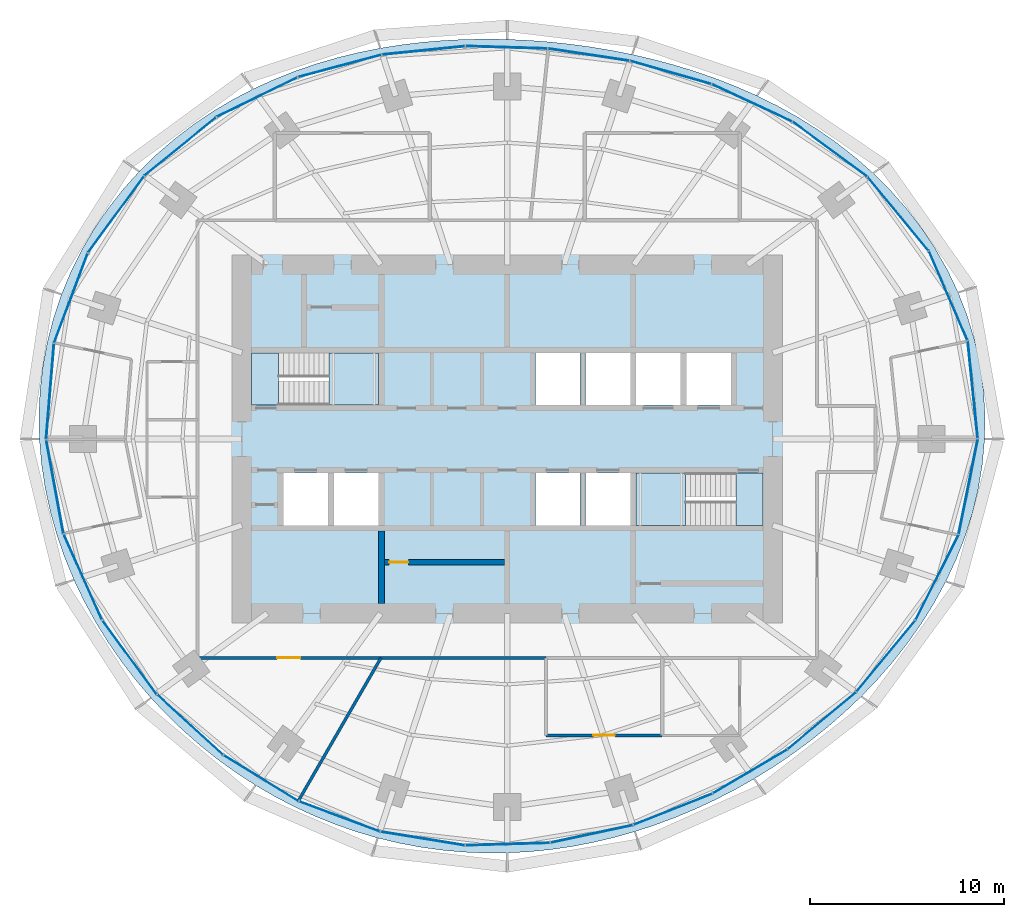
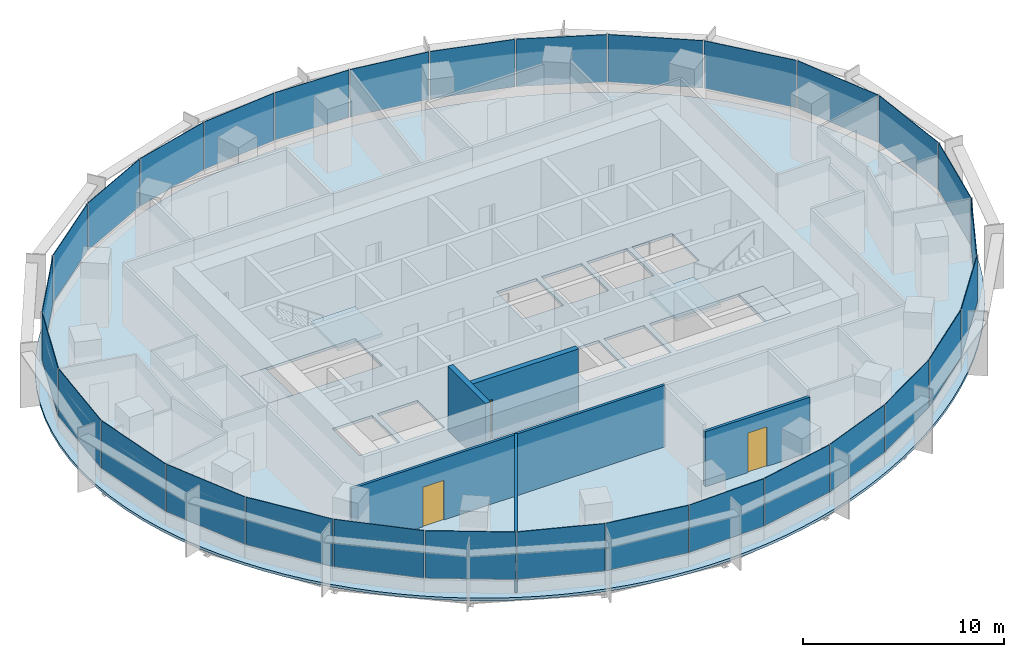
# One storey, part 9 of 14: 30 plates, 5 slabs, 5 walls, 3 doors, 3 openings, 8 elements without a shape of their own.
"""IFC4 building model written with IfcOpenShell, lengths in metres."""

from ifc_helpers import new_model, si_unit, direction, frame, frame_2d, origin, origin_2d, place, context, subcontext, project, spatial, polyline, rectangle, outline, extrude, material, layer, layer_set, type_object, element, fill, aggregate, save


model = new_model("IFC4")

# Units and contexts
model_context = context("Model", 3, precision=1e-05, world=origin(), true_north=direction((0.0, 1.0)))
body_context = subcontext(model_context, "Body", "Model", "MODEL_VIEW")
ifc_project = project(units=[si_unit("LENGTHUNIT", "METRE"), si_unit("AREAUNIT", "SQUARE_METRE"), si_unit("VOLUMEUNIT", "CUBIC_METRE"), si_unit("PLANEANGLEUNIT", "RADIAN"), si_unit("MASSUNIT", "GRAM", prefix="KILO")], contexts=[model_context])

# Site, building, storey
site_placement = place(None, origin())
site = spatial("IfcSite", under=ifc_project, at=site_placement, CompositionType="ELEMENT")
building_placement = place(site_placement, origin())
building = spatial("IfcBuilding", under=site, at=building_placement, Name="Marramba Exchange Tower", CompositionType="ELEMENT")
storey_placement = place(building_placement, frame((0.0, 0.0, 183.800048828125)))
storey = spatial("IfcBuildingStorey", under=building, at=storey_placement, Name="L44", CompositionType="ELEMENT", Elevation=183.800048828125)

# Slab
ifc_material_1 = material(Name="Concrete N40", Category="concrete")
ifc_layer_1 = layer(ifc_material_1, 0.159912109375)
ifc_layer_set_1 = layer_set([ifc_layer_1], Name="Composite floor slab 160")
slab_type_1 = type_object("IfcSlabType", Name="Composite floor slab 160", PredefinedType="FLOOR", material=ifc_layer_set_1)
slab_1_placement = place(storey_placement, frame((0.0, 0.0, -0.16015625)))
element("IfcSlab", 1, at=slab_1_placement, inside=storey, type_object=slab_type_1, Name="Floor slab L44", PredefinedType="FLOOR", context=body_context, shape_type="SweptSolid", body=[
    extrude(outline(polyline([(24.64404296875, 0.0), (24.661376953125, 1.29248046875), (24.580078125, 2.58349609375), (24.399658203125, 3.864501953125), (24.12109375, 5.127197265625), (23.7470703125, 6.363037109375), (23.281494140625, 7.564697265625), (22.72900390625, 8.724853515625), (22.095947265625, 9.837646484375), (21.388427734375, 10.89794921875), (20.614013671875, 11.901611328125), (19.780029296875, 12.845458984375), (18.894287109375, 13.7275390625), (17.964111328125, 14.547119140625), (16.996826171875, 15.303955078125), (15.9990234375, 15.9990234375), (14.977294921875, 16.634033203125), (13.936767578125, 17.21044921875), (12.882568359375, 17.7314453125), (11.819091796875, 18.19970703125), (10.749267578125, 18.6181640625), (9.67578125, 18.989990234375), (8.60107421875, 19.318115234375), (7.52587890625, 19.60546875), (6.451171875, 19.8544921875), (5.377197265625, 20.067626953125), (4.303466796875, 20.246337890625), (3.229736328125, 20.39208984375), (2.1552734375, 20.50537109375), (1.078857421875, 20.5869140625), (0.0, 20.63623046875), (-1.082275390625, 20.652587890625), (-2.168701171875, 20.634765625), (-3.259765625, 20.580810546875), (-4.35498046875, 20.4892578125), (-5.45458984375, 20.35693359375), (-6.557373046875, 20.181884765625), (-7.662353515625, 19.9609375), (-8.76708984375, 19.691162109375), (-9.869384765625, 19.369873046875), (-10.96630859375, 18.994384765625), (-12.05419921875, 18.561767578125), (-13.128662109375, 18.070068359375), (-14.185546875, 17.517578125), (-15.218994140625, 16.902587890625), (-16.22412109375, 16.22412109375), (-17.195068359375, 15.482421875), (-18.12548828125, 14.677734375), (-19.009521484375, 13.811279296875), (-19.841064453125, 12.885009765625), (-20.614013671875, 11.901611328125), (-21.32275390625, 10.864501953125), (-21.9619140625, 9.778076171875), (-22.52685546875, 8.647216796875), (-23.01318359375, 7.477294921875), (-23.417724609375, 6.274658203125), (-23.73779296875, 5.045654296875), (-23.971923828125, 3.796875), (-24.119384765625, 2.53515625), (-24.180419921875, 1.267333984375), (-24.156005859375, 0.0), (-24.04833984375, -1.26025390625), (-23.860107421875, -2.5078125), (-23.594482421875, -3.737060546875), (-23.25537109375, -4.943115234375), (-22.846923828125, -6.121826171875), (-22.373291015625, -7.26953125), (-21.8388671875, -8.38330078125), (-21.247802734375, -9.460205078125), (-20.604248046875, -10.49853515625), (-19.912109375, -11.496337890625), (-19.174560546875, -12.4521484375), (-18.395263671875, -13.364990234375), (-17.5771484375, -14.233642578125), (-16.72265625, -15.05712890625), (-15.834228515625, -15.834228515625), (-14.914794921875, -16.564453125), (-13.966064453125, -17.24658203125), (-12.990234375, -17.879638671875), (-11.98974609375, -18.46240234375), (-10.96630859375, -18.994384765625), (-9.922607421875, -19.47412109375), (-8.860595703125, -19.901123046875), (-7.78271484375, -20.2744140625), (-6.691162109375, -20.593505859375), (-5.5888671875, -20.858154296875), (-4.478271484375, -21.068115234375), (-3.361328125, -21.22314453125), (-2.2412109375, -21.32373046875), (-1.119873046875, -21.370361328125), (0.0, -21.36376953125), (1.116455078125, -21.3046875), (2.2275390625, -21.194580078125), (3.33154296875, -21.0341796875), (4.426513671875, -20.8251953125), (5.511474609375, -20.56884765625), (6.5849609375, -20.266357421875), (7.646240234375, -19.919189453125), (8.694580078125, -19.528076171875), (9.72900390625, -19.09423828125), (10.749267578125, -18.6181640625), (11.75439453125, -18.100341796875), (12.744140625, -17.541015625), (13.71728515625, -16.939697265625), (14.6728515625, -16.2958984375), (15.609130859375, -15.609130859375), (16.5244140625, -14.878662109375), (17.415771484375, -14.10302734375), (18.280029296875, -13.28125), (19.11376953125, -12.41259765625), (19.912109375, -11.496337890625), (20.669921875, -10.531982421875), (21.3818359375, -9.519775390625), (22.041259765625, -8.4609375), (22.641845703125, -7.356689453125), (23.176513671875, -6.210205078125), (23.638671875, -5.024658203125), (24.022216796875, -3.8046875), (24.32080078125, -2.55615234375), (24.529541015625, -1.28564453125), (24.64404296875, 0.0)]), holes=[polyline([(1.449951171875, 1.75), (3.75, 1.75), (3.75, 4.449951171875), (1.449951171875, 4.449951171875), (1.449951171875, 1.75)]), polyline([(4.050048828125, 1.75), (6.35009765625, 1.75), (6.35009765625, 4.449951171875), (4.050048828125, 4.449951171875), (4.050048828125, 1.75)]), polyline([(1.449951171875, -4.449951171875), (3.75, -4.449951171875), (3.75, -1.75), (1.449951171875, -1.75), (1.449951171875, -4.449951171875)]), polyline([(4.050048828125, -4.449951171875), (6.35009765625, -4.449951171875), (6.35009765625, -1.75), (4.050048828125, -1.75), (4.050048828125, -4.449951171875)]), polyline([(6.64990234375, 1.75), (8.949951171875, 1.75), (8.949951171875, 4.449951171875), (6.64990234375, 4.449951171875), (6.64990234375, 1.75)]), polyline([(-8.949951171875, -4.449951171875), (-6.64990234375, -4.449951171875), (-6.64990234375, -1.75), (-8.949951171875, -1.75), (-8.949951171875, -4.449951171875)]), polyline([(-11.550048828125, -4.449951171875), (-9.25, -4.449951171875), (-9.25, -1.75), (-11.550048828125, -1.75), (-11.550048828125, -4.449951171875)]), polyline([(9.25, 1.75), (11.550048828125, 1.75), (11.550048828125, 4.449951171875), (9.25, 4.449951171875), (9.25, 1.75)]), polyline([(-13.199951171875, 1.75), (-6.64990234375, 1.75), (-6.64990234375, 4.449951171875), (-13.199951171875, 4.449951171875), (-13.199951171875, 1.75)]), polyline([(6.64990234375, -4.449951171875), (13.199951171875, -4.449951171875), (13.199951171875, -1.75), (6.64990234375, -1.75), (6.64990234375, -4.449951171875)])]), origin(), (0.0, 0.0, 1.0), 0.16015625),
])

# Curtain wall, plates
ifc_material_2 = material(Name="Aluminium framing, bronze anodised", Category="aluminium")
curtain_wall_type = type_object("IfcCurtainWallType", Name="Office ribbon curtain wall", PredefinedType="USERDEFINED", material=ifc_material_2)
curtain_wall_1_placement = place(storey_placement, origin())
curtain_wall_1 = element("IfcCurtainWall", 2, at=curtain_wall_1_placement, inside=storey, type_object=curtain_wall_type, Name="Curtain wall CW4 L44 F01-F05", ObjectType="RIBBON CURTAIN WALL", PredefinedType="USERDEFINED")
ifc_material_3 = material(Name="Laminated double glazed unit 10.76 + 16 + 10.76, bronze tinted", Category="glass")
ifc_layer_2 = layer(ifc_material_3, 0.03759765625)
ifc_layer_set_2 = layer_set([ifc_layer_2], Name="Office ribbon curtain wall panel")
plate_type = type_object("IfcPlateType", Name="Office ribbon curtain wall panel", PredefinedType="CURTAIN_PANEL", material=ifc_layer_set_2)
plate_1_placement = place(storey_placement, frame((24.033203125, 2.556884765625, 0.860107421875), z_axis=(0.0, 0.0, 1.0), x_axis=(-0.101422472607, 0.994843446001, 0.0)))
plate_1 = element("IfcPlate", 3, at=plate_1_placement, type_object=plate_type, Name="CW4 vision panel", PredefinedType="CURTAIN_PANEL", context=body_context, shape_type="SweptSolid", body=[
    extrude(rectangle(XDim=5.0205078125, YDim=0.03759765625, at=origin_2d()), origin(), (0.0, 0.0, 1.0), 2.8798828125),
])
plate_2_placement = place(storey_placement, frame((22.765625, 7.40234375, 0.860107421875), z_axis=(0.0, 0.0, 1.0), x_axis=(-0.396193346946, 0.918167104527, 0.0)))
plate_2 = element("IfcPlate", 4, at=plate_2_placement, type_object=plate_type, Name="CW4 vision panel", PredefinedType="CURTAIN_PANEL", context=body_context, shape_type="SweptSolid", body=[
    extrude(rectangle(XDim=4.99462890625, YDim=0.03759765625, at=origin_2d()), origin(), (0.0, 0.0, 1.0), 2.8798828125),
])
plate_3_placement = place(storey_placement, frame((20.174560546875, 11.631591796875, 0.860107421875), z_axis=(0.0, 0.0, 1.0), x_axis=(-0.637350227411, 0.770574258342, 0.0)))
plate_3 = element("IfcPlate", 5, at=plate_3_placement, type_object=plate_type, Name="CW4 vision panel", PredefinedType="CURTAIN_PANEL", context=body_context, shape_type="SweptSolid", body=[
    extrude(rectangle(XDim=4.90576171875, YDim=0.03759765625, at=origin_2d()), origin(), (0.0, 0.0, 1.0), 2.8798828125),
])
plate_4_placement = place(storey_placement, frame((16.653076171875, 14.965576171875, 0.860107421875), z_axis=(0.0, 0.0, 1.0), x_axis=(-0.804877259395, 0.593441317494, 0.0)))
plate_4 = element("IfcPlate", 6, at=plate_4_placement, type_object=plate_type, Name="CW4 vision panel", PredefinedType="CURTAIN_PANEL", context=body_context, shape_type="SweptSolid", body=[
    extrude(rectangle(XDim=4.745849609375, YDim=0.03759765625, at=origin_2d()), origin(), (0.0, 0.0, 1.0), 2.8798828125),
])
plate_5_placement = place(storey_placement, frame((12.63134765625, 17.357177734375, 0.860107421875), z_axis=(0.0, 0.0, 1.0), x_axis=(-0.906533907301, 0.422133006189, 0.0)))
plate_5 = element("IfcPlate", 7, at=plate_5_placement, type_object=plate_type, Name="CW4 vision panel", PredefinedType="CURTAIN_PANEL", context=body_context, shape_type="SweptSolid", body=[
    extrude(rectangle(XDim=4.53857421875, YDim=0.03759765625, at=origin_2d()), origin(), (0.0, 0.0, 1.0), 2.8798828125),
])
aggregate(curtain_wall_1, [plate_1, plate_2, plate_3, plate_4, plate_5])

curtain_wall_2_placement = place(storey_placement, origin())
curtain_wall_2 = element("IfcCurtainWall", 8, at=curtain_wall_2_placement, inside=storey, type_object=curtain_wall_type, Name="Curtain wall CW4 L44 F06-F10", ObjectType="RIBBON CURTAIN WALL", PredefinedType="USERDEFINED")
plate_6_placement = place(storey_placement, frame((8.4296875, 18.926513671875, 0.860107421875), z_axis=(0.0, 0.0, 1.0), x_axis=(-0.961658954195, 0.274248164656, 0.0)))
plate_6 = element("IfcPlate", 9, at=plate_6_placement, type_object=plate_type, Name="CW4 vision panel", PredefinedType="CURTAIN_PANEL", context=body_context, shape_type="SweptSolid", body=[
    extrude(rectangle(XDim=4.33984375, YDim=0.03759765625, at=origin_2d()), origin(), (0.0, 0.0, 1.0), 2.8798828125),
])
plate_7_placement = place(storey_placement, frame((4.201171875, 19.843994140625, 0.860107421875), z_axis=(0.0, 0.0, 1.0), x_axis=(-0.988868065698, 0.148794988635, 0.0)))
plate_7 = element("IfcPlate", 10, at=plate_7_placement, type_object=plate_type, Name="CW4 vision panel", PredefinedType="CURTAIN_PANEL", context=body_context, shape_type="SweptSolid", body=[
    extrude(rectangle(XDim=4.2119140625, YDim=0.03759765625, at=origin_2d()), origin(), (0.0, 0.0, 1.0), 2.8798828125),
])
plate_8_placement = place(storey_placement, frame((-0.036865234375, 20.222900390625, 0.860107421875), z_axis=(0.0, 0.0, 1.0), x_axis=(-0.999538000143, 0.03039385249, 0.0)))
plate_8 = element("IfcPlate", 11, at=plate_8_placement, type_object=plate_type, Name="CW4 vision panel", PredefinedType="CURTAIN_PANEL", context=body_context, shape_type="SweptSolid", body=[
    extrude(rectangle(XDim=4.19287109375, YDim=0.03759765625, at=origin_2d()), origin(), (0.0, 0.0, 1.0), 2.8798828125),
])
plate_9_placement = place(storey_placement, frame((-4.320556640625, 20.064697265625, 0.860107421875), z_axis=(0.0, 0.0, 1.0), x_axis=(-0.994900357369, -0.100862673507, 0.0)))
plate_9 = element("IfcPlate", 12, at=plate_9_placement, type_object=plate_type, Name="CW4 vision panel", PredefinedType="CURTAIN_PANEL", context=body_context, shape_type="SweptSolid", body=[
    extrude(rectangle(XDim=4.279296875, YDim=0.03759765625, at=origin_2d()), origin(), (0.0, 0.0, 1.0), 2.8798828125),
])
plate_10_placement = place(storey_placement, frame((-8.6494140625, 19.262451171875, 0.860107421875), z_axis=(0.0, 0.0, 1.0), x_axis=(-0.966240653155, -0.257641223778, 0.0)))
plate_10 = element("IfcPlate", 13, at=plate_10_placement, type_object=plate_type, Name="CW4 vision panel", PredefinedType="CURTAIN_PANEL", context=body_context, shape_type="SweptSolid", body=[
    extrude(rectangle(XDim=4.433837890625, YDim=0.03759765625, at=origin_2d()), origin(), (0.0, 0.0, 1.0), 2.8798828125),
])
aggregate(curtain_wall_2, [plate_6, plate_7, plate_8, plate_9, plate_10])

curtain_wall_3_placement = place(storey_placement, origin())
curtain_wall_3 = element("IfcCurtainWall", 14, at=curtain_wall_3_placement, inside=storey, type_object=curtain_wall_type, Name="Curtain wall CW4 L44 F11-F15", ObjectType="RIBBON CURTAIN WALL", PredefinedType="USERDEFINED")
plate_11_placement = place(storey_placement, frame((-12.9150390625, 17.653564453125, 0.860107421875), z_axis=(0.0, 0.0, 1.0), x_axis=(-0.898500518805, -0.438972456661, 0.0)))
plate_11 = element("IfcPlate", 15, at=plate_11_placement, type_object=plate_type, Name="CW4 vision panel", PredefinedType="CURTAIN_PANEL", context=body_context, shape_type="SweptSolid", body=[
    extrude(rectangle(XDim=4.607177734375, YDim=0.03759765625, at=origin_2d()), origin(), (0.0, 0.0, 1.0), 2.8798828125),
])
plate_12_placement = place(storey_placement, frame((-16.87890625, 15.10498046875, 0.860107421875), z_axis=(0.0, 0.0, 1.0), x_axis=(-0.776432169145, -0.630200830464, 0.0)))
plate_12 = element("IfcPlate", 16, at=plate_12_placement, type_object=plate_type, Name="CW4 vision panel", PredefinedType="CURTAIN_PANEL", context=body_context, shape_type="SweptSolid", body=[
    extrude(rectangle(XDim=4.7587890625, YDim=0.03759765625, at=origin_2d()), origin(), (0.0, 0.0, 1.0), 2.8798828125),
])
plate_13_placement = place(storey_placement, frame((-20.2021484375, 11.596435546875, 0.860107421875), z_axis=(0.0, 0.0, 1.0), x_axis=(-0.591962922138, -0.805965197024, 0.0)))
plate_13 = element("IfcPlate", 17, at=plate_13_placement, type_object=plate_type, Name="CW4 vision panel", PredefinedType="CURTAIN_PANEL", context=body_context, shape_type="SweptSolid", body=[
    extrude(rectangle(XDim=4.865478515625, YDim=0.03759765625, at=origin_2d()), origin(), (0.0, 0.0, 1.0), 2.8798828125),
])
plate_14_placement = place(storey_placement, frame((-22.529296875, 7.276123046875, 0.860107421875), z_axis=(0.0, 0.0, 1.0), x_axis=(-0.351951515885, -0.936018231909, 0.0)))
plate_14 = element("IfcPlate", 18, at=plate_14_placement, type_object=plate_type, Name="CW4 vision panel", PredefinedType="CURTAIN_PANEL", context=body_context, shape_type="SweptSolid", body=[
    extrude(rectangle(XDim=4.921630859375, YDim=0.03759765625, at=origin_2d()), origin(), (0.0, 0.0, 1.0), 2.8798828125),
])
plate_15_placement = place(storey_placement, frame((-23.603271484375, 2.45654296875, 0.860107421875), z_axis=(0.0, 0.0, 1.0), x_axis=(-0.082280890264, -0.996609178714, 0.0)))
plate_15 = element("IfcPlate", 19, at=plate_15_placement, type_object=plate_type, Name="CW4 vision panel", PredefinedType="CURTAIN_PANEL", context=body_context, shape_type="SweptSolid", body=[
    extrude(rectangle(XDim=4.9296875, YDim=0.03759765625, at=origin_2d()), origin(), (0.0, 0.0, 1.0), 2.8798828125),
])
aggregate(curtain_wall_3, [plate_11, plate_12, plate_13, plate_14, plate_15])

curtain_wall_4_placement = place(storey_placement, origin())
curtain_wall_4 = element("IfcCurtainWall", 20, at=curtain_wall_4_placement, inside=storey, type_object=curtain_wall_type, Name="Curtain wall CW4 L44 F16-F20", ObjectType="RIBBON CURTAIN WALL", PredefinedType="USERDEFINED")
plate_16_placement = place(storey_placement, frame((-23.354248046875, -2.464599609375, 0.860107421875), z_axis=(0.0, 0.0, 1.0), x_axis=(0.180327438996, -0.983606636184, 0.0)))
plate_16 = element("IfcPlate", 21, at=plate_16_placement, type_object=plate_type, Name="CW4 vision panel", PredefinedType="CURTAIN_PANEL", context=body_context, shape_type="SweptSolid", body=[
    extrude(rectangle(XDim=4.8916015625, YDim=0.03759765625, at=origin_2d()), origin(), (0.0, 0.0, 1.0), 2.8798828125),
])
plate_17_placement = place(storey_placement, frame((-21.908447265625, -7.12158203125, 0.860107421875), z_axis=(0.0, 0.0, 1.0), x_axis=(0.407557580942, -0.913179510401, 0.0)))
plate_17 = element("IfcPlate", 22, at=plate_17_placement, type_object=plate_type, Name="CW4 vision panel", PredefinedType="CURTAIN_PANEL", context=body_context, shape_type="SweptSolid", body=[
    extrude(rectangle(XDim=4.810302734375, YDim=0.03759765625, at=origin_2d()), origin(), (0.0, 0.0, 1.0), 2.8798828125),
])
plate_18_placement = place(storey_placement, frame((-19.50244140625, -11.2626953125, 0.860107421875), z_axis=(0.0, 0.0, 1.0), x_axis=(0.591223103363, -0.806508054547, 0.0)))
plate_18 = element("IfcPlate", 23, at=plate_18_placement, type_object=plate_type, Name="CW4 vision panel", PredefinedType="CURTAIN_PANEL", context=body_context, shape_type="SweptSolid", body=[
    extrude(rectangle(XDim=4.703125, YDim=0.03759765625, at=origin_2d()), origin(), (0.0, 0.0, 1.0), 2.8798828125),
])
plate_19_placement = place(storey_placement, frame((-16.374267578125, -14.752197265625, 0.860107421875), z_axis=(0.0, 0.0, 1.0), x_axis=(0.737203264245, -0.67567103474, 0.0)))
plate_19 = element("IfcPlate", 24, at=plate_19_placement, type_object=plate_type, Name="CW4 vision panel", PredefinedType="CURTAIN_PANEL", context=body_context, shape_type="SweptSolid", body=[
    extrude(rectangle(XDim=4.594970703125, YDim=0.03759765625, at=origin_2d()), origin(), (0.0, 0.0, 1.0), 2.8798828125),
])
plate_20_placement = place(storey_placement, frame((-12.71044921875, -17.513427734375, 0.860107421875), z_axis=(0.0, 0.0, 1.0), x_axis=(0.85230101176, -0.52305160869, 0.0)))
plate_20 = element("IfcPlate", 25, at=plate_20_placement, type_object=plate_type, Name="CW4 vision panel", PredefinedType="CURTAIN_PANEL", context=body_context, shape_type="SweptSolid", body=[
    extrude(rectangle(XDim=4.503173828125, YDim=0.03759765625, at=origin_2d()), origin(), (0.0, 0.0, 1.0), 2.8798828125),
])
aggregate(curtain_wall_4, [plate_16, plate_17, plate_18, plate_19, plate_20])

curtain_wall_5_placement = place(storey_placement, origin())
curtain_wall_5 = element("IfcCurtainWall", 26, at=curtain_wall_5_placement, inside=storey, type_object=curtain_wall_type, Name="Curtain wall CW4 L44 F21-F25", ObjectType="RIBBON CURTAIN WALL", PredefinedType="USERDEFINED")
plate_21_placement = place(storey_placement, frame((-8.6591796875, -19.486572265625, 0.860107421875), z_axis=(0.0, 0.0, 1.0), x_axis=(0.936951583142, -0.349459197687, 0.0)))
plate_21 = element("IfcPlate", 27, at=plate_21_placement, type_object=plate_type, Name="CW4 vision panel", PredefinedType="CURTAIN_PANEL", context=body_context, shape_type="SweptSolid", body=[
    extrude(rectangle(XDim=4.431396484375, YDim=0.03759765625, at=origin_2d()), origin(), (0.0, 0.0, 1.0), 2.8798828125),
])
plate_22_placement = place(storey_placement, frame((-4.3642578125, -20.623046875, 0.860107421875), z_axis=(0.0, 0.0, 1.0), x_axis=(0.986930623159, -0.161145726194, 0.0)))
plate_22 = element("IfcPlate", 28, at=plate_22_placement, type_object=plate_type, Name="CW4 vision panel", PredefinedType="CURTAIN_PANEL", context=body_context, shape_type="SweptSolid", body=[
    extrude(rectangle(XDim=4.37646484375, YDim=0.03759765625, at=origin_2d()), origin(), (0.0, 0.0, 1.0), 2.8798828125),
])
plate_23_placement = place(storey_placement, frame((0.023193359375, -20.91015625, 0.860107421875), z_axis=(0.0, 0.0, 1.0), x_axis=(0.99956791915, 0.029393451762, 0.0)))
plate_23 = element("IfcPlate", 29, at=plate_23_placement, type_object=plate_type, Name="CW4 vision panel", PredefinedType="CURTAIN_PANEL", context=body_context, shape_type="SweptSolid", body=[
    extrude(rectangle(XDim=4.337646484375, YDim=0.03759765625, at=origin_2d()), origin(), (0.0, 0.0, 1.0), 2.8798828125),
])
plate_24_placement = place(storey_placement, frame((4.36328125, -20.3837890625, 0.860107421875), z_axis=(0.0, 0.0, 1.0), x_axis=(0.978058069607, 0.208332456608, 0.0)))
plate_24 = element("IfcPlate", 30, at=plate_24_placement, type_object=plate_type, Name="CW4 vision panel", PredefinedType="CURTAIN_PANEL", context=body_context, shape_type="SweptSolid", body=[
    extrude(rectangle(XDim=4.32177734375, YDim=0.03759765625, at=origin_2d()), origin(), (0.0, 0.0, 1.0), 2.8798828125),
])
plate_25_placement = place(storey_placement, frame((8.553466796875, -19.11328125, 0.860107421875), z_axis=(0.0, 0.0, 1.0), x_axis=(0.93007301435, 0.367374724195, 0.0)))
plate_25 = element("IfcPlate", 31, at=plate_25_placement, type_object=plate_type, Name="CW4 vision panel", PredefinedType="CURTAIN_PANEL", context=body_context, shape_type="SweptSolid", body=[
    extrude(rectangle(XDim=4.345458984375, YDim=0.03759765625, at=origin_2d()), origin(), (0.0, 0.0, 1.0), 2.8798828125),
])
aggregate(curtain_wall_5, [plate_21, plate_22, plate_23, plate_24, plate_25])

curtain_wall_6_placement = place(storey_placement, origin())
curtain_wall_6 = element("IfcCurtainWall", 32, at=curtain_wall_6_placement, inside=storey, type_object=curtain_wall_type, Name="Curtain wall CW4 L44 F26-F30", ObjectType="RIBBON CURTAIN WALL", PredefinedType="USERDEFINED")
plate_26_placement = place(storey_placement, frame((12.5322265625, -17.16015625, 0.860107421875), z_axis=(0.0, 0.0, 1.0), x_axis=(0.861350833897, 0.508010571686, 0.0)))
plate_26 = element("IfcPlate", 33, at=plate_26_placement, type_object=plate_type, Name="CW4 vision panel", PredefinedType="CURTAIN_PANEL", context=body_context, shape_type="SweptSolid", body=[
    extrude(rectangle(XDim=4.426513671875, YDim=0.03759765625, at=origin_2d()), origin(), (0.0, 0.0, 1.0), 2.8798828125),
])
plate_27_placement = place(storey_placement, frame((16.240966796875, -14.536376953125, 0.860107421875), z_axis=(0.0, 0.0, 1.0), x_axis=(0.768736798421, 0.639565270127, 0.0)))
plate_27 = element("IfcPlate", 34, at=plate_27_placement, type_object=plate_type, Name="CW4 vision panel", PredefinedType="CURTAIN_PANEL", context=body_context, shape_type="SweptSolid", body=[
    extrude(rectangle(XDim=4.568603515625, YDim=0.03759765625, at=origin_2d()), origin(), (0.0, 0.0, 1.0), 2.8798828125),
])
plate_28_placement = place(storey_placement, frame((19.548583984375, -11.203369140625, 0.860107421875), z_axis=(0.0, 0.0, 1.0), x_axis=(0.63814998673, 0.769912069289, 0.0)))
plate_28 = element("IfcPlate", 35, at=plate_28_placement, type_object=plate_type, Name="CW4 vision panel", PredefinedType="CURTAIN_PANEL", context=body_context, shape_type="SweptSolid", body=[
    extrude(rectangle(XDim=4.7431640625, YDim=0.03759765625, at=origin_2d()), origin(), (0.0, 0.0, 1.0), 2.8798828125),
])
plate_29_placement = place(storey_placement, frame((22.19287109375, -7.137939453125, 0.860107421875), z_axis=(0.0, 0.0, 1.0), x_axis=(0.450673083956, 0.892689067591, 0.0)))
plate_29 = element("IfcPlate", 36, at=plate_29_placement, type_object=plate_type, Name="CW4 vision panel", PredefinedType="CURTAIN_PANEL", context=body_context, shape_type="SweptSolid", body=[
    extrude(rectangle(XDim=4.897705078125, YDim=0.03759765625, at=origin_2d()), origin(), (0.0, 0.0, 1.0), 2.8798828125),
])
plate_30_placement = place(storey_placement, frame((23.801025390625, -2.446533203125, 0.860107421875), z_axis=(0.0, 0.0, 1.0), x_axis=(0.197495405316, 0.980303812539, 0.0)))
plate_30 = element("IfcPlate", 37, at=plate_30_placement, type_object=plate_type, Name="CW4 vision panel", PredefinedType="CURTAIN_PANEL", context=body_context, shape_type="SweptSolid", body=[
    extrude(rectangle(XDim=4.9912109375, YDim=0.03759765625, at=origin_2d()), origin(), (0.0, 0.0, 1.0), 2.8798828125),
])
aggregate(curtain_wall_6, [plate_26, plate_27, plate_28, plate_29, plate_30])

# Stair, slabs
ifc_material_4 = material(Name="Concrete N40 (40 MPa)", Category="concrete")
stair_type_1 = type_object("IfcStairType", Name="Exit stair ST1 3900 x 1250", PredefinedType="HALF_TURN_STAIR", material=ifc_material_4)
stair_1_placement = place(storey_placement, origin())
stair_1 = element("IfcStair", 38, at=stair_1_placement, inside=storey, type_object=stair_type_1, Name="Exit stair ST1 L44", PredefinedType="HALF_TURN_STAIR")
ifc_layer_3 = layer(ifc_material_4, 0.199951171875)
ifc_layer_set_3 = layer_set([ifc_layer_3], Name="Stair landing 200")
slab_type_2 = type_object("IfcSlabType", Name="Stair landing 200", PredefinedType="LANDING", material=ifc_layer_set_3)
slab_2_placement = place(storey_placement, frame((0.0, 0.0, -0.199951171875)))
slab_2 = element("IfcSlab", 39, at=slab_2_placement, type_object=slab_type_2, Name="ST1 landing 1", PredefinedType="LANDING", context=body_context, shape_type="SweptSolid", body=[
    extrude(outline(polyline([(-13.199951171875, 1.75), (-11.800048828125, 1.75), (-11.800048828125, 4.449951171875), (-13.199951171875, 4.449951171875), (-13.199951171875, 1.75)])), origin(), (0.0, 0.0, 1.0), 0.199951171875),
])
slab_3_placement = place(storey_placement, frame((0.0, 0.0, 1.75)))
slab_3 = element("IfcSlab", 40, at=slab_3_placement, type_object=slab_type_2, Name="ST1 landing 2", PredefinedType="LANDING", context=body_context, shape_type="SweptSolid", body=[
    extrude(outline(polyline([(-9.199951171875, 1.75), (-6.64990234375, 1.75), (-6.64990234375, 4.449951171875), (-9.199951171875, 4.449951171875), (-9.199951171875, 1.75)])), origin(), (0.0, 0.0, 1.0), 0.199951171875),
])
aggregate(stair_1, [slab_2, slab_3])

stair_type_2 = type_object("IfcStairType", Name="Exit stair ST2 3900 x 1250", PredefinedType="HALF_TURN_STAIR", material=ifc_material_4)
stair_2_placement = place(storey_placement, origin())
stair_2 = element("IfcStair", 41, at=stair_2_placement, inside=storey, type_object=stair_type_2, Name="Exit stair ST2 L44", PredefinedType="HALF_TURN_STAIR")
slab_4_placement = place(storey_placement, frame((0.0, 0.0, -0.199951171875)))
slab_4 = element("IfcSlab", 42, at=slab_4_placement, type_object=slab_type_2, Name="ST2 landing 1", PredefinedType="LANDING", context=body_context, shape_type="SweptSolid", body=[
    extrude(outline(polyline([(11.800048828125, -4.449951171875), (13.199951171875, -4.449951171875), (13.199951171875, -1.75), (11.800048828125, -1.75), (11.800048828125, -4.449951171875)])), origin(), (0.0, 0.0, 1.0), 0.199951171875),
])
slab_5_placement = place(storey_placement, frame((0.0, 0.0, 1.75)))
slab_5 = element("IfcSlab", 43, at=slab_5_placement, type_object=slab_type_2, Name="ST2 landing 2", PredefinedType="LANDING", context=body_context, shape_type="SweptSolid", body=[
    extrude(outline(polyline([(6.64990234375, -4.449951171875), (9.199951171875, -4.449951171875), (9.199951171875, -1.75), (6.64990234375, -1.75), (6.64990234375, -4.449951171875)])), origin(), (0.0, 0.0, 1.0), 0.199951171875),
])
aggregate(stair_2, [slab_4, slab_5])

# Wall, opening, door
ifc_material_5 = material(Name="Plasterboard on staggered double steel studs, acoustic insulation", Category="steel")
ifc_layer_4 = layer(ifc_material_5, 0.169921875)
ifc_layer_set_4 = layer_set([ifc_layer_4], Name="Acoustic partition 170")
wall_type_1 = type_object("IfcWallType", Name="Acoustic partition 170", PredefinedType="PARTITIONING", material=ifc_layer_set_4)
wall_1_placement = place(storey_placement, frame((2.0, -15.300048828125, 0.0), z_axis=(0.0, 0.0, 1.0), x_axis=(1.0, 0.0, 0.0)))
wall_1 = element("IfcWall", 44, at=wall_1_placement, inside=storey, type_object=wall_type_1, Name="Acoustic partition L44 07", PredefinedType="PARTITIONING", context=body_context, shape_type="SweptSolid", body=[
    extrude(rectangle(XDim=6.0, YDim=0.169921875, at=frame_2d((3.0, 0.0))), origin(), (0.0, 0.0, 1.0), 3.333984375),
])
opening_1_placement = place(wall_1_placement, frame((2.449951171875, 0.0, 0.0)))
opening_1 = element("IfcOpeningElement", 45, at=opening_1_placement, cuts=wall_1, Name="Opening D15", PredefinedType="OPENING", context=body_context, shape_type="SweptSolid", body=[
    extrude(rectangle(XDim=1.10009765625, YDim=2.39990234375, at=frame_2d((0.550048828125, 1.199951171875))), frame((0.0, 0.094970703125, 0.0), z_axis=(0.0, -1.0, 0.0), x_axis=(1.0, 0.0, 0.0)), (0.0, 0.0, 1.0), 0.18994140625),
])
ifc_material_6 = material(Name="Timber door", Category="wood")
door_type_1 = type_object("IfcDoorType", Name="Glazed meeting room door 1100x2400", OperationType="SINGLE_SWING_LEFT", PredefinedType="DOOR", material=ifc_material_6)
door_1_placement = place(opening_1_placement, origin())
door_1 = element("IfcDoor", 46, at=door_1_placement, inside=storey, type_object=door_type_1, Name="D15 Meeting Room 2 L44", OperationType="SINGLE_SWING_RIGHT", OverallHeight=2.39990234375, OverallWidth=1.10009765625, PredefinedType="DOOR", context=body_context, shape_type="SweptSolid", body=[
    extrude(rectangle(XDim=1.10009765625, YDim=2.39990234375, at=frame_2d((0.550048828125, 1.199951171875))), frame((0.0, 0.02490234375, 0.0), z_axis=(0.0, -1.0, 0.0), x_axis=(1.0, 0.0, 0.0)), (0.0, 0.0, 1.0), 0.050048828125),
])
fill(opening_1, door_1)

# Wall
ifc_material_7 = material(Name="Concrete N50", Category="concrete")
ifc_layer_5 = layer(ifc_material_7, 0.300048828125)
ifc_layer_set_5 = layer_set([ifc_layer_5], Name="Core wall 300")
wall_type_2 = type_object("IfcWallType", Name="Core wall 300", PredefinedType="SHEAR", material=ifc_layer_set_5)
wall_2_placement = place(storey_placement, frame((-6.5, -4.75, 0.0), z_axis=(0.0, 0.0, 1.0), x_axis=(0.0, -1.0, 0.0)))
element("IfcWall", 47, at=wall_2_placement, inside=storey, type_object=wall_type_2, Name="Core wall X0Sb L44", PredefinedType="SHEAR", context=body_context, shape_type="SweptSolid", body=[
    extrude(rectangle(XDim=3.75, YDim=0.300048828125, at=frame_2d((1.875, 0.0))), origin(), (0.0, 0.0, 1.0), 3.89990234375),
])

# Wall, opening, door
ifc_material_8 = material(Name="Plasterboard on steel studs, insulated, unrated", Category="steel")
ifc_layer_6 = layer(ifc_material_8, 0.300048828125)
ifc_layer_set_6 = layer_set([ifc_layer_6], Name="Store partition 300")
wall_type_3 = type_object("IfcWallType", Name="Store partition 300", PredefinedType="PARTITIONING", material=ifc_layer_set_6)
wall_3_placement = place(storey_placement, frame((-6.35009765625, -6.360107421875, 0.0), z_axis=(0.0, 0.0, 1.0), x_axis=(1.0, 0.0, 0.0)))
wall_3 = element("IfcWall", 48, at=wall_3_placement, inside=storey, type_object=wall_type_3, Name="Store partition L44 store", PredefinedType="PARTITIONING", context=body_context, shape_type="SweptSolid", body=[
    extrude(rectangle(XDim=6.2001953125, YDim=0.300048828125, at=frame_2d((3.10009765625, 0.0))), origin(), (0.0, 0.0, 1.0), 3.739990234375),
])
opening_2_placement = place(wall_3_placement, frame((0.25, 0.0, 0.0)))
opening_2 = element("IfcOpeningElement", 49, at=opening_2_placement, cuts=wall_3, Name="Opening D9", PredefinedType="OPENING", context=body_context, shape_type="SweptSolid", body=[
    extrude(rectangle(XDim=1.0, YDim=2.39990234375, at=frame_2d((0.5, 1.199951171875))), frame((0.0, 0.159912109375, 0.0), z_axis=(0.0, -1.0, 0.0), x_axis=(1.0, 0.0, 0.0)), (0.0, 0.0, 1.0), 0.320068359375),
])
door_type_2 = type_object("IfcDoorType", Name="Room door 1000x2400", OperationType="SINGLE_SWING_LEFT", PredefinedType="DOOR", material=ifc_material_6)
door_2_placement = place(opening_2_placement, origin())
door_2 = element("IfcDoor", 50, at=door_2_placement, inside=storey, type_object=door_type_2, Name="D9 stationery store L44", OperationType="SINGLE_SWING_LEFT", OverallHeight=2.39990234375, OverallWidth=1.0, PredefinedType="DOOR", context=body_context, shape_type="SweptSolid", body=[
    extrude(rectangle(XDim=1.0, YDim=2.39990234375, at=frame_2d((0.5, 1.199951171875))), frame((0.0, 0.02490234375, 0.0), z_axis=(0.0, -1.0, 0.0), x_axis=(1.0, 0.0, 0.0)), (0.0, 0.0, 1.0), 0.050048828125),
])
fill(opening_2, door_2)

ifc_material_9 = material(Name="Fire-rated plasterboard on steel studs, acoustic insulation", Category="steel")
ifc_layer_7 = layer(ifc_material_9, 0.14990234375)
ifc_layer_set_7 = layer_set([ifc_layer_7], Name="Tenancy wall 150")
wall_type_4 = type_object("IfcWallType", Name="Tenancy wall 150", PredefinedType="PARTITIONING", material=ifc_layer_set_7)
wall_4_placement = place(storey_placement, frame((-16.0, -11.300048828125, 0.0), z_axis=(0.0, 0.0, 1.0), x_axis=(1.0, 0.0, 0.0)))
wall_4 = element("IfcWall", 51, at=wall_4_placement, inside=storey, type_object=wall_type_4, Name="Tenancy wall L44 04", PredefinedType="PARTITIONING", context=body_context, shape_type="SweptSolid", body=[
    extrude(rectangle(XDim=18.0, YDim=0.14990234375, at=frame_2d((9.0, 0.0))), origin(), (0.0, 0.0, 1.0), 3.739990234375),
])
opening_3_placement = place(wall_4_placement, frame((4.113037109375, 0.0, 0.0)))
opening_3 = element("IfcOpeningElement", 52, at=opening_3_placement, cuts=wall_4, Name="Opening D13", PredefinedType="OPENING", context=body_context, shape_type="SweptSolid", body=[
    extrude(rectangle(XDim=1.199951171875, YDim=2.39990234375, at=frame_2d((0.60009765625, 1.199951171875))), frame((0.0, 0.0849609375, 0.0), z_axis=(0.0, -1.0, 0.0), x_axis=(1.0, 0.0, 0.0)), (0.0, 0.0, 1.0), 0.169921875),
])
ifc_material_10 = material(Name="Steel-framed door", Category="steel")
door_type_3 = type_object("IfcDoorType", Name="Tenancy entry door 1200x2400", OperationType="SINGLE_SWING_LEFT", PredefinedType="DOOR", material=ifc_material_10)
door_3_placement = place(opening_3_placement, origin())
door_3 = element("IfcDoor", 53, at=door_3_placement, inside=storey, type_object=door_type_3, Name="D13 Office 2 L44", OperationType="SINGLE_SWING_LEFT", OverallHeight=2.39990234375, OverallWidth=1.199951171875, PredefinedType="DOOR", context=body_context, shape_type="SweptSolid", body=[
    extrude(rectangle(XDim=1.199951171875, YDim=2.39990234375, at=frame_2d((0.60009765625, 1.199951171875))), frame((0.0, 0.02490234375, 0.0), z_axis=(0.0, -1.0, 0.0), x_axis=(1.0, 0.0, 0.0)), (0.0, 0.0, 1.0), 0.050048828125),
])
fill(opening_3, door_3)

# Wall
wall_5_placement = place(storey_placement, frame((-10.75146484375, -18.621826171875, 0.0), z_axis=(0.0, 0.0, 1.0), x_axis=(0.500005748546, 0.866022084834, 0.0)))
element("IfcWall", 54, at=wall_5_placement, inside=storey, type_object=wall_type_4, Name="Tenancy wall L44 05", PredefinedType="PARTITIONING", context=body_context, shape_type="SweptSolid", body=[
    extrude(rectangle(XDim=8.45458984375, YDim=0.14990234375, at=frame_2d((4.227294921875, 0.0))), origin(), (0.0, 0.0, 1.0), 3.739990234375),
])

save(model, "model.ifc")
